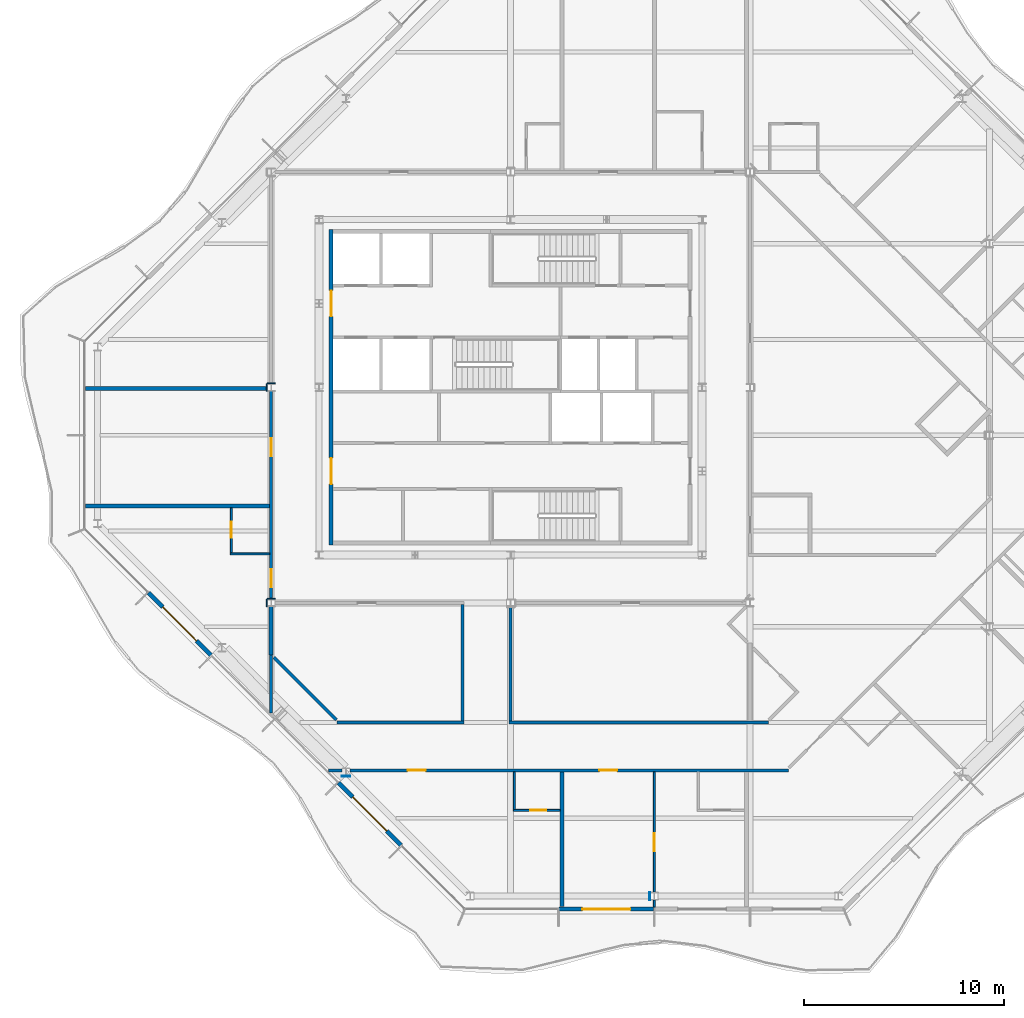
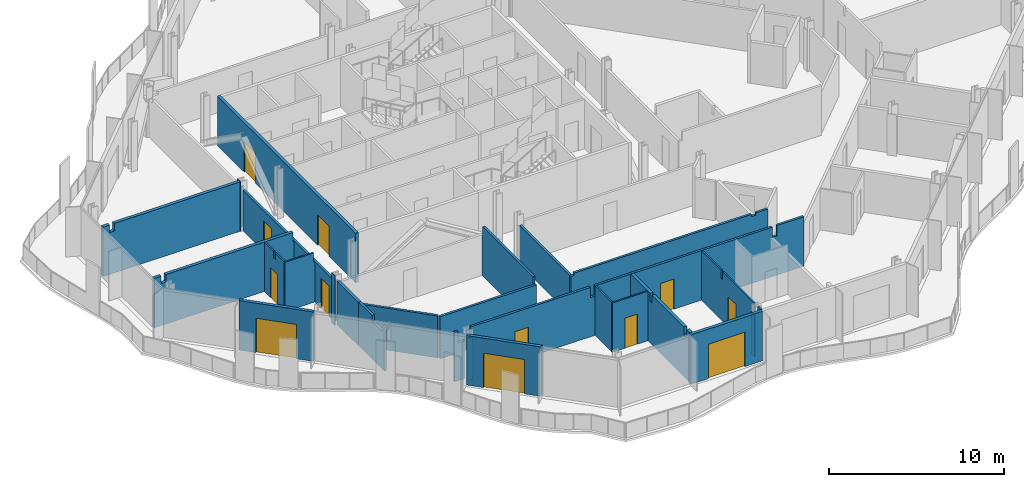
# One storey, part 7 of 17: 29 walls, 12 doors, 12 openings.
"""IFC4 building model written with IfcOpenShell, lengths in metres."""

from ifc_helpers import new_model, si_unit, direction, frame, frame_2d, origin, place, context, subcontext, project, spatial, polyline, rectangle, outline, extrude, material, layer, layer_set, type_object, element, fill, save


model = new_model("IFC4")

# Units and contexts
model_context = context("Model", 3, precision=1e-05, world=origin(), true_north=direction((0.0, 1.0)))
body_context = subcontext(model_context, "Body", "Model", "MODEL_VIEW")
ifc_project = project(units=[si_unit("LENGTHUNIT", "METRE"), si_unit("AREAUNIT", "SQUARE_METRE"), si_unit("VOLUMEUNIT", "CUBIC_METRE"), si_unit("PLANEANGLEUNIT", "RADIAN"), si_unit("MASSUNIT", "GRAM", prefix="KILO")], contexts=[model_context])

# Site, building, storey
site_placement = place(None, origin())
site = spatial("IfcSite", under=ifc_project, at=site_placement, CompositionType="ELEMENT")
building_placement = place(site_placement, origin())
building = spatial("IfcBuilding", under=site, at=building_placement, Name="Cairn Pilgrim Tower", CompositionType="ELEMENT")
storey_placement = place(building_placement, frame((0.0, 0.0, 253.800048828125)))
storey = spatial("IfcBuildingStorey", under=building, at=storey_placement, Name="L65", CompositionType="ELEMENT", Elevation=253.800048828125)

# Wall, opening, door
ifc_material_1 = material(Name="Bronze anodised aluminium insulated sandwich panel with mineral wool fill", Category="aluminium")
ifc_layer_1 = layer(ifc_material_1, 0.199951171875)
ifc_layer_set_1 = layer_set([ifc_layer_1], Name="BRONZE INFILL FRAME WALL 200")
wall_type_1 = type_object("IfcWallType", Name="BRONZE INFILL FRAME WALL 200", PredefinedType="NOTDEFINED", material=ifc_layer_set_1)
wall_1_placement = place(storey_placement, frame((9.6298828125, -23.75, 0.0), z_axis=(0.0, 0.0, 1.0), x_axis=(1.0, 0.0, 0.0)))
wall_1 = element("IfcWall", 1, at=wall_1_placement, inside=storey, type_object=wall_type_1, Name="Bronze infill frame wall IW-S2", PredefinedType="NOTDEFINED", context=body_context, shape_type="SweptSolid", body=[
    extrude(rectangle(XDim=4.740234375, YDim=0.199951171875, at=frame_2d((2.3701171875, 0.0))), origin(), (0.0, 0.0, 1.0), 3.449951171875),
])
opening_1_placement = place(wall_1_placement, frame((1.17041015625, 0.0, 0.0)))
opening_1 = element("IfcOpeningElement", 2, at=opening_1_placement, cuts=wall_1, Name="Opening 6515B", PredefinedType="OPENING", context=body_context, shape_type="SweptSolid", body=[
    extrude(rectangle(XDim=2.39990234375, YDim=2.39990234375, at=frame_2d((1.199951171875, 1.199951171875))), frame((0.0, 0.10986328125, 0.0), z_axis=(0.0, -1.0, 0.0), x_axis=(1.0, 0.0, 0.0)), (0.0, 0.0, 1.0), 0.219970703125),
])
ifc_material_2 = material(Name="Bronze anodised aluminium frame with tinted low-E glass", Category="aluminium")
door_type_1 = type_object("IfcDoorType", Name="BALCONY SLIDING DOOR 2400x2400", OperationType="DOUBLE_DOOR_SLIDING", PredefinedType="DOOR", material=ifc_material_2)
door_1_placement = place(opening_1_placement, origin())
door_1 = element("IfcDoor", 3, at=door_1_placement, inside=storey, type_object=door_type_1, Name="Balcony sliding door 6515B", OperationType="SINGLE_SWING_LEFT", OverallHeight=2.39990234375, OverallWidth=2.39990234375, PredefinedType="DOOR", context=body_context, shape_type="SweptSolid", body=[
    extrude(rectangle(XDim=2.39990234375, YDim=2.39990234375, at=frame_2d((1.199951171875, 1.199951171875))), frame((0.0, 0.02490234375, 0.0), z_axis=(0.0, -1.0, 0.0), x_axis=(1.0, 0.0, 0.0)), (0.0, 0.0, 1.0), 0.050048828125),
])
fill(opening_1, door_1)

wall_2_placement = place(storey_placement, frame((-10.953125, -7.893310546875, 0.0), z_axis=(0.0, 0.0, 1.0), x_axis=(0.707106781187, -0.707106781187, 0.0)))
wall_2 = element("IfcWall", 4, at=wall_2_placement, inside=storey, type_object=wall_type_1, Name="Bronze infill frame wall IW-SW2", PredefinedType="NOTDEFINED", context=body_context, shape_type="SweptSolid", body=[
    extrude(rectangle(XDim=4.430908203125, YDim=0.199951171875, at=frame_2d((2.21533203125, 0.0))), origin(), (0.0, 0.0, 1.0), 3.449951171875),
])
opening_2_placement = place(wall_2_placement, frame((1.015380859375, 0.0, 0.0)))
opening_2 = element("IfcOpeningElement", 5, at=opening_2_placement, cuts=wall_2, Name="Opening 6513B", PredefinedType="OPENING", context=body_context, shape_type="SweptSolid", body=[
    extrude(rectangle(XDim=2.39990234375, YDim=2.39990234375, at=frame_2d((1.199951171875, 1.199951171875))), frame((0.0, 0.10986328125, 0.0), z_axis=(0.0, -1.0, 0.0), x_axis=(1.0, 0.0, 0.0)), (0.0, 0.0, 1.0), 0.219970703125),
])
door_2_placement = place(opening_2_placement, origin())
door_2 = element("IfcDoor", 6, at=door_2_placement, inside=storey, type_object=door_type_1, Name="Balcony sliding door 6513B", OperationType="SINGLE_SWING_LEFT", OverallHeight=2.39990234375, OverallWidth=2.39990234375, PredefinedType="DOOR", context=body_context, shape_type="SweptSolid", body=[
    extrude(rectangle(XDim=2.39990234375, YDim=2.39990234375, at=frame_2d((1.199951171875, 1.199951171875))), frame((0.0, 0.02490234375, 0.0), z_axis=(0.0, -1.0, 0.0), x_axis=(1.0, 0.0, 0.0)), (0.0, 0.0, 1.0), 0.050048828125),
])
fill(opening_2, door_2)

wall_3_placement = place(storey_placement, frame((-1.426513671875, -17.419921875, 0.0), z_axis=(0.0, 0.0, 1.0), x_axis=(0.707106781187, -0.707106781187, 0.0)))
wall_3 = element("IfcWall", 7, at=wall_3_placement, inside=storey, type_object=wall_type_1, Name="Bronze infill frame wall IW-SW5", PredefinedType="NOTDEFINED", context=body_context, shape_type="SweptSolid", body=[
    extrude(rectangle(XDim=4.43115234375, YDim=0.199951171875, at=frame_2d((2.215576171875, 0.0))), origin(), (0.0, 0.0, 1.0), 3.449951171875),
])
opening_3_placement = place(wall_3_placement, frame((1.01513671875, 0.0, 0.0)))
opening_3 = element("IfcOpeningElement", 8, at=opening_3_placement, cuts=wall_3, Name="Opening 6514B", PredefinedType="OPENING", context=body_context, shape_type="SweptSolid", body=[
    extrude(rectangle(XDim=2.39990234375, YDim=2.39990234375, at=frame_2d((1.199951171875, 1.199951171875))), frame((0.0, 0.10986328125, 0.0), z_axis=(0.0, -1.0, 0.0), x_axis=(1.0, 0.0, 0.0)), (0.0, 0.0, 1.0), 0.219970703125),
])
door_3_placement = place(opening_3_placement, origin())
door_3 = element("IfcDoor", 9, at=door_3_placement, inside=storey, type_object=door_type_1, Name="Balcony sliding door 6514B", OperationType="SINGLE_SWING_LEFT", OverallHeight=2.39990234375, OverallWidth=2.39990234375, PredefinedType="DOOR", context=body_context, shape_type="SweptSolid", body=[
    extrude(rectangle(XDim=2.39990234375, YDim=2.39990234375, at=frame_2d((1.199951171875, 1.199951171875))), frame((0.0, 0.02490234375, 0.0), z_axis=(0.0, -1.0, 0.0), x_axis=(1.0, 0.0, 0.0)), (0.0, 0.0, 1.0), 0.050048828125),
])
fill(opening_3, door_3)

# Wall, openings, doors
ifc_material_3 = material(Name="Concrete C32/40", Category="concrete")
ifc_layer_2 = layer(ifc_material_3, 0.199951171875)
ifc_layer_set_2 = layer_set([ifc_layer_2], Name="CORE OUTER WALL 200 EI 120")
wall_type_2 = type_object("IfcWallType", Name="CORE OUTER WALL 200 EI 120", PredefinedType="SOLIDWALL", material=ifc_layer_set_2)
wall_4_placement = place(storey_placement, frame((-1.800048828125, -5.5, 0.0), z_axis=(0.0, 0.0, 1.0), x_axis=(0.0, 1.0, 0.0)))
wall_4 = element("IfcWall", 10, at=wall_4_placement, inside=storey, type_object=wall_type_2, Name="CW:L65:V13", PredefinedType="SOLIDWALL", context=body_context, shape_type="SweptSolid", body=[
    extrude(rectangle(XDim=15.800048828125, YDim=0.199951171875, at=frame_2d((7.89990234375, 0.0))), origin(), (0.0, 0.0, 1.0), 3.449951171875),
])
opening_4_placement = place(wall_4_placement, frame((3.050048828125, 0.0, 0.0)))
opening_4 = element("IfcOpeningElement", 11, at=opening_4_placement, cuts=wall_4, Name="Opening CD-W1", PredefinedType="OPENING", context=body_context, shape_type="SweptSolid", body=[
    extrude(rectangle(XDim=1.300048828125, YDim=2.10009765625, at=frame_2d((0.64990234375, 1.050048828125))), frame((0.0, 0.10986328125, 0.0), z_axis=(0.0, -1.0, 0.0), x_axis=(1.0, 0.0, 0.0)), (0.0, 0.0, 1.0), 0.219970703125),
])
opening_5_placement = place(wall_4_placement, frame((11.449951171875, 0.0, 0.0)))
opening_5 = element("IfcOpeningElement", 12, at=opening_5_placement, cuts=wall_4, Name="Opening CD-W2", PredefinedType="OPENING", context=body_context, shape_type="SweptSolid", body=[
    extrude(rectangle(XDim=1.300048828125, YDim=2.10009765625, at=frame_2d((0.64990234375, 1.050048828125))), frame((0.0, 0.10986328125, 0.0), z_axis=(0.0, -1.0, 0.0), x_axis=(1.0, 0.0, 0.0)), (0.0, 0.0, 1.0), 0.219970703125),
])
ifc_material_4 = material(Name="Painted steel", Category="steel")
door_type_2 = type_object("IfcDoorType", Name="CORE LOBBY DOOR 1300x2100", OperationType="DOUBLE_DOOR_SINGLE_SWING", PredefinedType="DOOR", material=ifc_material_4)
door_4_placement = place(opening_4_placement, origin())
door_4 = element("IfcDoor", 13, at=door_4_placement, inside=storey, type_object=door_type_2, Name="CD-W1", OperationType="DOUBLE_DOOR_SINGLE_SWING", OverallHeight=2.10009765625, OverallWidth=1.300048828125, PredefinedType="DOOR", context=body_context, shape_type="SweptSolid", body=[
    extrude(rectangle(XDim=1.300048828125, YDim=2.10009765625, at=frame_2d((0.64990234375, 1.050048828125))), frame((0.0, 0.02490234375, 0.0), z_axis=(0.0, -1.0, 0.0), x_axis=(1.0, 0.0, 0.0)), (0.0, 0.0, 1.0), 0.050048828125),
])
fill(opening_4, door_4)
door_5_placement = place(opening_5_placement, origin())
door_5 = element("IfcDoor", 14, at=door_5_placement, inside=storey, type_object=door_type_2, Name="CD-W2", OperationType="DOUBLE_DOOR_SINGLE_SWING", OverallHeight=2.10009765625, OverallWidth=1.300048828125, PredefinedType="DOOR", context=body_context, shape_type="SweptSolid", body=[
    extrude(rectangle(XDim=1.300048828125, YDim=2.10009765625, at=frame_2d((0.64990234375, 1.050048828125))), frame((0.0, 0.02490234375, 0.0), z_axis=(0.0, -1.0, 0.0), x_axis=(1.0, 0.0, 0.0)), (0.0, 0.0, 1.0), 0.050048828125),
])
fill(opening_5, door_5)

# Wall
ifc_material_5 = material(Name="Gypsum partition")
ifc_layer_3 = layer(ifc_material_5, 0.10009765625)
ifc_layer_set_3 = layer_set([ifc_layer_3], Name="PARTITION 100 DRYWALL")
wall_type_3 = type_object("IfcWallType", Name="PARTITION 100 DRYWALL", PredefinedType="PARTITIONING", material=ifc_layer_set_3)
wall_5_placement = place(storey_placement, frame((14.39990234375, -23.64990234375, 0.0), z_axis=(0.0, 0.0, 1.0), x_axis=(0.0, 1.0, 0.0)))
element("IfcWall", 15, at=wall_5_placement, inside=storey, type_object=wall_type_3, Name="PARTITION W001", PredefinedType="PARTITIONING", context=body_context, shape_type="SweptSolid", body=[
    extrude(rectangle(XDim=0.346435546875, YDim=0.10009765625, at=frame_2d((0.17333984375, 0.0))), origin(), (0.0, 0.0, 1.0), 3.449951171875),
])

# Wall, opening, door
wall_6_placement = place(storey_placement, frame((14.39990234375, -22.896484375, 0.0), z_axis=(0.0, 0.0, 1.0), x_axis=(0.0, 1.0, 0.0)))
wall_6 = element("IfcWall", 16, at=wall_6_placement, inside=storey, type_object=wall_type_3, Name="PARTITION W004", PredefinedType="PARTITIONING", context=body_context, shape_type="SweptSolid", body=[
    extrude(outline(polyline([(0.0, 0.0), (6.021484375, 0.0), (6.021484375, 3.449951171875), (3.801513671875, 3.449951171875), (3.799560546875, 2.8798828125), (3.591552734375, 2.8798828125), (3.589599609375, 3.449951171875), (0.0, 3.449951171875), (0.0, 0.0)])), frame((0.0, 0.050048828125, 0.0), z_axis=(0.0, -1.0, 0.0), x_axis=(1.0, 0.0, 0.0)), (0.0, 0.0, 1.0), 0.10009765625),
])
opening_6_placement = place(wall_6_placement, frame((2.04638671875, 0.0, 0.0)))
opening_6 = element("IfcOpeningElement", 17, at=opening_6_placement, cuts=wall_6, Name="Opening 6515C", PredefinedType="OPENING", context=body_context, shape_type="SweptSolid", body=[
    extrude(rectangle(XDim=0.89990234375, YDim=2.10009765625, at=frame_2d((0.449951171875, 1.050048828125))), frame((0.0, 0.06005859375, 0.0), z_axis=(0.0, -1.0, 0.0), x_axis=(1.0, 0.0, 0.0)), (0.0, 0.0, 1.0), 0.1201171875),
])
ifc_material_6 = material(Name="Timber door leaf", Category="wood")
door_type_3 = type_object("IfcDoorType", Name="SERVICE DOOR 900x2100", OperationType="NOTDEFINED", PredefinedType="DOOR", material=ifc_material_6)
door_6_placement = place(opening_6_placement, origin())
door_6 = element("IfcDoor", 18, at=door_6_placement, inside=storey, type_object=door_type_3, Name="DOOR 6515C", OperationType="SINGLE_SWING_LEFT", OverallHeight=2.10009765625, OverallWidth=0.89990234375, PredefinedType="DOOR", context=body_context, shape_type="SweptSolid", body=[
    extrude(rectangle(XDim=0.89990234375, YDim=2.10009765625, at=frame_2d((0.449951171875, 1.050048828125))), frame((0.0, 0.02490234375, 0.0), z_axis=(0.0, -1.0, 0.0), x_axis=(1.0, 0.0, 0.0)), (0.0, 0.0, 1.0), 0.050048828125),
])
fill(opening_6, door_6)

wall_7_placement = place(storey_placement, frame((7.3359375, -18.800048828125, 0.0), z_axis=(0.0, 0.0, 1.0), x_axis=(1.0, 0.0, 0.0)))
wall_7 = element("IfcWall", 19, at=wall_7_placement, inside=storey, type_object=wall_type_3, Name="PARTITION W005", PredefinedType="PARTITIONING", context=body_context, shape_type="SweptSolid", body=[
    extrude(outline(polyline([(0.0, 0.0), (2.35009765625, 0.0), (2.35009765625, 3.449951171875), (0.013916015625, 3.449951171875), (0.011962890625, 2.72998046875), (0.0, 2.72998046875), (0.0, 0.0)])), frame((0.0, 0.050048828125, 0.0), z_axis=(0.0, -1.0, 0.0), x_axis=(1.0, 0.0, 0.0)), (0.0, 0.0, 1.0), 0.10009765625),
])
opening_7_placement = place(wall_7_placement, frame((0.85009765625, 0.0, 0.0)))
opening_7 = element("IfcOpeningElement", 20, at=opening_7_placement, cuts=wall_7, Name="Opening 6514A", PredefinedType="OPENING", context=body_context, shape_type="SweptSolid", body=[
    extrude(rectangle(XDim=0.800048828125, YDim=2.10009765625, at=frame_2d((0.39990234375, 1.050048828125))), frame((0.0, 0.06005859375, 0.0), z_axis=(0.0, -1.0, 0.0), x_axis=(1.0, 0.0, 0.0)), (0.0, 0.0, 1.0), 0.1201171875),
])
door_type_4 = type_object("IfcDoorType", Name="WC DOOR 800x2100", OperationType="NOTDEFINED", PredefinedType="DOOR", material=ifc_material_6)
door_7_placement = place(opening_7_placement, frame((0.800048828125, 0.0, 0.0), z_axis=(0.0, 0.0, 1.0), x_axis=(-1.0, 0.0, 0.0)))
door_7 = element("IfcDoor", 21, at=door_7_placement, inside=storey, type_object=door_type_4, Name="DOOR 6514A", OperationType="SINGLE_SWING_LEFT", OverallHeight=2.10009765625, OverallWidth=0.800048828125, PredefinedType="DOOR", context=body_context, shape_type="SweptSolid", body=[
    extrude(rectangle(XDim=0.800048828125, YDim=2.10009765625, at=frame_2d((0.39990234375, 1.050048828125))), frame((0.0, 0.02490234375, 0.0), z_axis=(0.0, -1.0, 0.0), x_axis=(1.0, 0.0, 0.0)), (0.0, 0.0, 1.0), 0.050048828125),
])
fill(opening_7, door_7)

# Walls
wall_8_placement = place(storey_placement, frame((7.385986328125, -18.75, 0.0), z_axis=(0.0, 0.0, 1.0), x_axis=(0.0, 1.0, 0.0)))
element("IfcWall", 22, at=wall_8_placement, inside=storey, type_object=wall_type_3, Name="PARTITION W006", PredefinedType="PARTITIONING", context=body_context, shape_type="SweptSolid", body=[
    extrude(rectangle(XDim=1.875, YDim=0.10009765625, at=frame_2d((0.9375, 0.0))), origin(), (0.0, 0.0, 1.0), 3.449951171875),
])
wall_9_placement = place(storey_placement, frame((-6.85009765625, -5.944091796875, 0.0), z_axis=(0.0, 0.0, 1.0), x_axis=(1.0, 0.0, 0.0)))
element("IfcWall", 23, at=wall_9_placement, inside=storey, type_object=wall_type_3, Name="PARTITION W038", PredefinedType="PARTITIONING", context=body_context, shape_type="SweptSolid", body=[
    extrude(outline(polyline([(0.0, 0.0), (1.97509765625, 0.0), (1.97509765625, 2.829833984375), (1.89990234375, 2.829833984375), (1.89794921875, 3.449951171875), (0.0, 3.449951171875), (0.0, 0.0)])), frame((0.0, 0.050048828125, 0.0), z_axis=(0.0, -1.0, 0.0), x_axis=(1.0, 0.0, 0.0)), (0.0, 0.0, 1.0), 0.10009765625),
])

# Wall, opening, door
wall_10_placement = place(storey_placement, frame((-6.800048828125, -5.89404296875, 0.0), z_axis=(0.0, 0.0, 1.0), x_axis=(0.0, 1.0, 0.0)))
wall_10 = element("IfcWall", 24, at=wall_10_placement, inside=storey, type_object=wall_type_3, Name="PARTITION W039", PredefinedType="PARTITIONING", context=body_context, shape_type="SweptSolid", body=[
    extrude(outline(polyline([(0.0, 0.0), (2.25, 0.0), (2.25, 3.449951171875), (1.18896484375, 3.449951171875), (1.18701171875, 2.97998046875), (0.9990234375, 2.97998046875), (0.9970703125, 3.449951171875), (0.0, 3.449951171875), (0.0, 0.0)])), frame((0.0, 0.050048828125, 0.0), z_axis=(0.0, -1.0, 0.0), x_axis=(1.0, 0.0, 0.0)), (0.0, 0.0, 1.0), 0.10009765625),
])
opening_8_placement = place(wall_10_placement, frame((0.75, 0.0, 0.0)))
opening_8 = element("IfcOpeningElement", 25, at=opening_8_placement, cuts=wall_10, Name="Opening 6513A", PredefinedType="OPENING", context=body_context, shape_type="SweptSolid", body=[
    extrude(rectangle(XDim=0.800048828125, YDim=2.10009765625, at=frame_2d((0.39990234375, 1.050048828125))), frame((0.0, 0.06005859375, 0.0), z_axis=(0.0, -1.0, 0.0), x_axis=(1.0, 0.0, 0.0)), (0.0, 0.0, 1.0), 0.1201171875),
])
door_8_placement = place(opening_8_placement, origin())
door_8 = element("IfcDoor", 26, at=door_8_placement, inside=storey, type_object=door_type_4, Name="DOOR 6513A", OperationType="SINGLE_SWING_LEFT", OverallHeight=2.10009765625, OverallWidth=0.800048828125, PredefinedType="DOOR", context=body_context, shape_type="SweptSolid", body=[
    extrude(rectangle(XDim=0.800048828125, YDim=2.10009765625, at=frame_2d((0.39990234375, 1.050048828125))), frame((0.0, 0.02490234375, 0.0), z_axis=(0.0, -1.0, 0.0), x_axis=(1.0, 0.0, 0.0)), (0.0, 0.0, 1.0), 0.050048828125),
])
fill(opening_8, door_8)

# Wall
ifc_layer_4 = layer(ifc_material_5, 0.14990234375)
ifc_layer_set_4 = layer_set([ifc_layer_4], Name="PARTITION 150 DRYWALL EI 60")
wall_type_4 = type_object("IfcWallType", Name="PARTITION 150 DRYWALL EI 60", PredefinedType="PARTITIONING", material=ifc_layer_set_4)
wall_11_placement = place(storey_placement, frame((-1.926025390625, -16.800048828125, 0.0), z_axis=(0.0, 0.0, 1.0), x_axis=(1.0, 0.0, 0.0)))
element("IfcWall", 27, at=wall_11_placement, inside=storey, type_object=wall_type_4, Name="PARTITION W010", PredefinedType="PARTITIONING", context=body_context, shape_type="SweptSolid", body=[
    extrude(outline(polyline([(0.0, 0.0), (0.672607421875, 0.0), (0.672607421875, 2.6298828125), (0.22900390625, 2.6298828125), (0.226806640625, 3.449951171875), (0.0, 3.449951171875), (0.0, 0.0)])), frame((0.0, 0.074951171875, 0.0), z_axis=(0.0, -1.0, 0.0), x_axis=(1.0, 0.0, 0.0)), (0.0, 0.0, 1.0), 0.14990234375),
])

# Wall, openings, doors
wall_12_placement = place(storey_placement, frame((-0.849609375, -16.800048828125, 0.0), z_axis=(0.0, 0.0, 1.0), x_axis=(1.0, 0.0, 0.0)))
wall_12 = element("IfcWall", 28, at=wall_12_placement, inside=storey, type_object=wall_type_4, Name="PARTITION W011", PredefinedType="PARTITIONING", context=body_context, shape_type="SweptSolid", body=[
    extrude(outline(polyline([(0.0, 0.0), (21.9736328125, 0.0), (21.9736328125, 3.449951171875), (20.199462890625, 3.449951171875), (20.197509765625, 2.72998046875), (19.8994140625, 2.72998046875), (19.8974609375, 3.449951171875), (8.199462890625, 3.449951171875), (8.197509765625, 2.72998046875), (7.8994140625, 2.72998046875), (7.8974609375, 3.449951171875), (0.0, 3.449951171875), (0.0, 0.0)])), frame((0.0, 0.074951171875, 0.0), z_axis=(0.0, -1.0, 0.0), x_axis=(1.0, 0.0, 0.0)), (0.0, 0.0, 1.0), 0.14990234375),
])
opening_9_placement = place(wall_12_placement, frame((2.892578125, 0.0, 0.0)))
opening_9 = element("IfcOpeningElement", 29, at=opening_9_placement, cuts=wall_12, Name="Opening 6514", PredefinedType="OPENING", context=body_context, shape_type="SweptSolid", body=[
    extrude(rectangle(XDim=0.89990234375, YDim=2.10009765625, at=frame_2d((0.449951171875, 1.050048828125))), frame((0.0, 0.0849609375, 0.0), z_axis=(0.0, -1.0, 0.0), x_axis=(1.0, 0.0, 0.0)), (0.0, 0.0, 1.0), 0.169921875),
])
opening_10_placement = place(wall_12_placement, frame((12.492431640625, 0.0, 0.0)))
opening_10 = element("IfcOpeningElement", 30, at=opening_10_placement, cuts=wall_12, Name="Opening 6515", PredefinedType="OPENING", context=body_context, shape_type="SweptSolid", body=[
    extrude(rectangle(XDim=0.89990234375, YDim=2.10009765625, at=frame_2d((0.449951171875, 1.050048828125))), frame((0.0, 0.0849609375, 0.0), z_axis=(0.0, -1.0, 0.0), x_axis=(1.0, 0.0, 0.0)), (0.0, 0.0, 1.0), 0.169921875),
])
door_type_5 = type_object("IfcDoorType", Name="ROOM DOOR 900x2100 FD30S", OperationType="NOTDEFINED", PredefinedType="DOOR", material=ifc_material_6)
door_9_placement = place(opening_9_placement, frame((0.89990234375, 0.0, 0.0), z_axis=(0.0, 0.0, 1.0), x_axis=(-1.0, 0.0, 0.0)))
door_9 = element("IfcDoor", 31, at=door_9_placement, inside=storey, type_object=door_type_5, Name="DOOR 6514", OperationType="SINGLE_SWING_LEFT", OverallHeight=2.10009765625, OverallWidth=0.89990234375, PredefinedType="DOOR", context=body_context, shape_type="SweptSolid", body=[
    extrude(rectangle(XDim=0.89990234375, YDim=2.10009765625, at=frame_2d((0.449951171875, 1.050048828125))), frame((0.0, 0.02490234375, 0.0), z_axis=(0.0, -1.0, 0.0), x_axis=(1.0, 0.0, 0.0)), (0.0, 0.0, 1.0), 0.050048828125),
])
fill(opening_9, door_9)
door_10_placement = place(opening_10_placement, frame((0.89990234375, 0.0, 0.0), z_axis=(0.0, 0.0, 1.0), x_axis=(-1.0, 0.0, 0.0)))
door_10 = element("IfcDoor", 32, at=door_10_placement, inside=storey, type_object=door_type_5, Name="DOOR 6515", OperationType="SINGLE_SWING_LEFT", OverallHeight=2.10009765625, OverallWidth=0.89990234375, PredefinedType="DOOR", context=body_context, shape_type="SweptSolid", body=[
    extrude(rectangle(XDim=0.89990234375, YDim=2.10009765625, at=frame_2d((0.449951171875, 1.050048828125))), frame((0.0, 0.02490234375, 0.0), z_axis=(0.0, -1.0, 0.0), x_axis=(1.0, 0.0, 0.0)), (0.0, 0.0, 1.0), 0.050048828125),
])
fill(opening_10, door_10)

# Walls
wall_13_placement = place(storey_placement, frame((-1.51220703125, -14.39990234375, 0.0), z_axis=(0.0, 0.0, 1.0), x_axis=(1.0, 0.0, 0.0)))
element("IfcWall", 33, at=wall_13_placement, inside=storey, type_object=wall_type_4, Name="PARTITION W016", PredefinedType="PARTITIONING", context=body_context, shape_type="SweptSolid", body=[
    extrude(rectangle(XDim=6.38720703125, YDim=0.14990234375, at=frame_2d((3.193603515625, 0.0))), origin(), (0.0, 0.0, 1.0), 2.929931640625),
])
wall_14_placement = place(storey_placement, frame((7.125, -14.39990234375, 0.0), z_axis=(0.0, 0.0, 1.0), x_axis=(1.0, 0.0, 0.0)))
element("IfcWall", 34, at=wall_14_placement, inside=storey, type_object=wall_type_4, Name="PARTITION W017", PredefinedType="PARTITIONING", context=body_context, shape_type="SweptSolid", body=[
    extrude(outline(polyline([(0.0, 0.0), (13.004150390625, 0.0), (13.004150390625, 2.8798828125), (12.22509765625, 2.8798828125), (12.222900390625, 2.72998046875), (11.925048828125, 2.72998046875), (11.923095703125, 2.8798828125), (0.22509765625, 2.8798828125), (0.222900390625, 2.72998046875), (0.0, 2.72998046875), (0.0, 0.0)])), frame((0.0, 0.074951171875, 0.0), z_axis=(0.0, -1.0, 0.0), x_axis=(1.0, 0.0, 0.0)), (0.0, 0.0, 1.0), 0.14990234375),
])
wall_15_placement = place(storey_placement, frame((-1.533935546875, -14.27197265625, 0.0), z_axis=(0.0, 0.0, 1.0), x_axis=(-0.707134287042, 0.707079274261, 0.0)))
element("IfcWall", 35, at=wall_15_placement, inside=storey, type_object=wall_type_4, Name="PARTITION W018", PredefinedType="PARTITIONING", context=body_context, shape_type="SweptSolid", body=[
    extrude(rectangle(XDim=4.43798828125, YDim=0.14990234375, at=frame_2d((2.218994140625, 0.0))), origin(), (0.0, 0.0, 1.0), 2.929931640625),
])
wall_16_placement = place(storey_placement, frame((4.800048828125, -14.324951171875, 0.0), z_axis=(0.0, 0.0, 1.0), x_axis=(0.0, 1.0, 0.0)))
element("IfcWall", 36, at=wall_16_placement, inside=storey, type_object=wall_type_4, Name="PARTITION W019", PredefinedType="PARTITIONING", context=body_context, shape_type="SweptSolid", body=[
    extrude(outline(polyline([(0.0, 0.0), (5.849853515625, 0.0), (5.85009765625, 2.829833984375), (5.77490234375, 2.829833984375), (5.77294921875, 3.449951171875), (0.02490234375, 3.449951171875), (0.02294921875, 2.929931640625), (0.0, 2.929931640625), (0.0, 0.0)])), frame((0.0, 0.074951171875, 0.0), z_axis=(0.0, -1.0, 0.0), x_axis=(1.0, 0.0, 0.0)), (0.0, 0.0, 1.0), 0.14990234375),
])
wall_17_placement = place(storey_placement, frame((7.199951171875, -14.324951171875, 0.0), z_axis=(0.0, 0.0, 1.0), x_axis=(0.0, 1.0, 0.0)))
element("IfcWall", 37, at=wall_17_placement, inside=storey, type_object=wall_type_4, Name="PARTITION W020", PredefinedType="PARTITIONING", context=body_context, shape_type="SweptSolid", body=[
    extrude(rectangle(XDim=5.737548828125, YDim=0.14990234375, at=frame_2d((2.86865234375, 0.0))), origin(), (0.0, 0.0, 1.0), 2.72998046875),
])
wall_18_placement = place(storey_placement, frame((-4.800048828125, -13.926025390625, 0.0), z_axis=(0.0, 0.0, 1.0), x_axis=(0.0, 1.0, 0.0)))
element("IfcWall", 38, at=wall_18_placement, inside=storey, type_object=wall_type_4, Name="PARTITION W023", PredefinedType="PARTITIONING", context=body_context, shape_type="SweptSolid", body=[
    extrude(outline(polyline([(0.0, 0.0), (2.919921875, 0.0), (2.920166015625, 3.030029296875), (1.368896484375, 3.030029296875), (1.366943359375, 2.6298828125), (0.22900390625, 2.6298828125), (0.226806640625, 3.030029296875), (0.0, 3.030029296875), (0.0, 0.0)])), frame((0.0, 0.074951171875, 0.0), z_axis=(0.0, -1.0, 0.0), x_axis=(1.0, 0.0, 0.0)), (0.0, 0.0, 1.0), 0.14990234375),
])

# Wall, openings, doors
wall_19_placement = place(storey_placement, frame((-4.800048828125, -8.21240234375, 0.0), z_axis=(0.0, 0.0, 1.0), x_axis=(0.0, 1.0, 0.0)))
wall_19 = element("IfcWall", 39, at=wall_19_placement, inside=storey, type_object=wall_type_4, Name="PARTITION W034", PredefinedType="PARTITIONING", context=body_context, shape_type="SweptSolid", body=[
    extrude(rectangle(XDim=10.4248046875, YDim=0.14990234375, at=frame_2d((5.21240234375, 0.0))), origin(), (0.0, 0.0, 1.0), 2.829833984375),
])
opening_11_placement = place(wall_19_placement, frame((7.16259765625, 0.0, 0.0)))
opening_11 = element("IfcOpeningElement", 40, at=opening_11_placement, cuts=wall_19, Name="Opening 6512", PredefinedType="OPENING", context=body_context, shape_type="SweptSolid", body=[
    extrude(rectangle(XDim=0.89990234375, YDim=2.10009765625, at=frame_2d((0.449951171875, 1.050048828125))), frame((0.0, 0.0849609375, 0.0), z_axis=(0.0, -1.0, 0.0), x_axis=(1.0, 0.0, 0.0)), (0.0, 0.0, 1.0), 0.169921875),
])
opening_12_placement = place(wall_19_placement, frame((0.590576171875, 0.0, 0.0)))
opening_12 = element("IfcOpeningElement", 41, at=opening_12_placement, cuts=wall_19, Name="Opening 6513", PredefinedType="OPENING", context=body_context, shape_type="SweptSolid", body=[
    extrude(rectangle(XDim=0.89990234375, YDim=2.10009765625, at=frame_2d((0.449951171875, 1.050048828125))), frame((0.0, 0.0849609375, 0.0), z_axis=(0.0, -1.0, 0.0), x_axis=(1.0, 0.0, 0.0)), (0.0, 0.0, 1.0), 0.169921875),
])
door_11_placement = place(opening_12_placement, origin())
door_11 = element("IfcDoor", 42, at=door_11_placement, inside=storey, type_object=door_type_5, Name="DOOR 6513", OperationType="SINGLE_SWING_LEFT", OverallHeight=2.10009765625, OverallWidth=0.89990234375, PredefinedType="DOOR", context=body_context, shape_type="SweptSolid", body=[
    extrude(rectangle(XDim=0.89990234375, YDim=2.10009765625, at=frame_2d((0.449951171875, 1.050048828125))), frame((0.0, 0.02490234375, 0.0), z_axis=(0.0, -1.0, 0.0), x_axis=(1.0, 0.0, 0.0)), (0.0, 0.0, 1.0), 0.050048828125),
])
fill(opening_12, door_11)
door_type_6 = type_object("IfcDoorType", Name="SERVICE DOOR 900x2100 FD30S", OperationType="NOTDEFINED", PredefinedType="DOOR", material=ifc_material_6)
door_12_placement = place(opening_11_placement, origin())
door_12 = element("IfcDoor", 43, at=door_12_placement, inside=storey, type_object=door_type_6, Name="DOOR 6512", OperationType="SINGLE_SWING_LEFT", OverallHeight=2.10009765625, OverallWidth=0.89990234375, PredefinedType="DOOR", context=body_context, shape_type="SweptSolid", body=[
    extrude(rectangle(XDim=0.89990234375, YDim=2.10009765625, at=frame_2d((0.449951171875, 1.050048828125))), frame((0.0, 0.02490234375, 0.0), z_axis=(0.0, -1.0, 0.0), x_axis=(1.0, 0.0, 0.0)), (0.0, 0.0, 1.0), 0.050048828125),
])
fill(opening_11, door_12)

# Walls
ifc_layer_5 = layer(ifc_material_5, 0.050048828125)
ifc_layer_set_5 = layer_set([ifc_layer_5], Name="PARTITION 50 DRYWALL")
wall_type_5 = type_object("IfcWallType", Name="PARTITION 50 DRYWALL", PredefinedType="PARTITIONING", material=ifc_layer_set_5)
wall_20_placement = place(storey_placement, frame((14.173095703125, -23.303466796875, 0.0), z_axis=(0.0, 0.0, 1.0), x_axis=(0.0, 1.0, 0.0)))
element("IfcWall", 44, at=wall_20_placement, inside=storey, type_object=wall_type_5, Name="COLUMN CASING WC01", PredefinedType="PARTITIONING", context=body_context, shape_type="SweptSolid", body=[
    extrude(rectangle(XDim=0.406982421875, YDim=0.050048828125, at=frame_2d((0.20361328125, 0.0))), origin(), (0.0, 0.0, 1.0), 2.929931640625),
])
ifc_layer_6 = layer(ifc_material_5, 0.050048828125)
ifc_layer_set_6 = layer_set([ifc_layer_6], Name="PARTITION 50 DRYWALL EI 60")
wall_type_6 = type_object("IfcWallType", Name="PARTITION 50 DRYWALL EI 60", PredefinedType="PARTITIONING", material=ifc_layer_set_6)
wall_21_placement = place(storey_placement, frame((-1.25341796875, -17.104248046875, 0.0), z_axis=(0.0, 0.0, 1.0), x_axis=(1.0, 0.0, 0.0)))
element("IfcWall", 45, at=wall_21_placement, inside=storey, type_object=wall_type_6, Name="COLUMN CASING WC03", PredefinedType="PARTITIONING", context=body_context, shape_type="SweptSolid", body=[
    extrude(rectangle(XDim=0.40380859375, YDim=0.050048828125, at=frame_2d((0.201904296875, 0.0))), origin(), (0.0, 0.0, 1.0), 2.929931640625),
])
for number, where, z_axis, x_axis, name in (
    (46, (-5.02197265625, -8.58740234375, 0.0), (0.0, 0.0, 1.0), (0.0, 1.0, 0.0), "COLUMN CASING WC07"),
    (47, (-5.02197265625, 2.21240234375, 0.0), (0.0, 0.0, 1.0), (0.0, 1.0, 0.0), "COLUMN CASING WC09"),
):
    element("IfcWall", number, at=place(storey_placement, frame(where, z_axis=z_axis, x_axis=x_axis)), inside=storey, type_object=wall_type_6, Name=name, PredefinedType="PARTITIONING", context=body_context, shape_type="SweptSolid", body=[
        extrude(rectangle(XDim=0.375, YDim=0.050048828125, at=frame_2d((0.1875, 0.0))), origin(), (0.0, 0.0, 1.0), 3.449951171875),
    ])
for number, where, z_axis, x_axis, name in (
    (48, (-4.9970703125, -8.1875, 0.0), (0.0, 0.0, 1.0), (1.0, 0.0, 0.0), "COLUMN CASING WC11"),
    (49, (-4.9970703125, 2.612548828125, 0.0), (0.0, 0.0, 1.0), (1.0, 0.0, 0.0), "COLUMN CASING WC18"),
):
    element("IfcWall", number, at=place(storey_placement, frame(where, z_axis=z_axis, x_axis=x_axis)), inside=storey, type_object=wall_type_6, Name=name, PredefinedType="PARTITIONING", context=body_context, shape_type="SweptSolid", body=[
        extrude(rectangle(XDim=0.39404296875, YDim=0.050048828125, at=frame_2d((0.197021484375, 0.0))), origin(), (0.0, 0.0, 1.0), 2.829833984375),
    ])
ifc_layer_7 = layer(ifc_material_5, 0.199951171875)
ifc_layer_set_7 = layer_set([ifc_layer_7], Name="SHAFT WALL 200 GYPSUM EI 60")
wall_type_7 = type_object("IfcWallType", Name="SHAFT WALL 200 GYPSUM EI 60", PredefinedType="PARTITIONING", material=ifc_layer_set_7)
wall_22_placement = place(storey_placement, frame((9.785888671875, -23.6201171875, 0.0), z_axis=(0.0, 0.0, 1.0), x_axis=(0.0, 1.0, 0.0)))
element("IfcWall", 50, at=wall_22_placement, inside=storey, type_object=wall_type_7, Name="PARTITION W002", PredefinedType="PARTITIONING", context=body_context, shape_type="SweptSolid", body=[
    extrude(outline(polyline([(0.0, 0.0), (6.7451171875, 0.0), (6.7451171875, 3.449951171875), (4.52490234375, 3.449951171875), (4.52294921875, 2.8798828125), (4.31494140625, 2.8798828125), (4.31298828125, 3.449951171875), (0.669921875, 3.449951171875), (0.66796875, 2.929931640625), (0.3701171875, 2.929931640625), (0.367919921875, 3.449951171875), (0.0, 3.449951171875), (0.0, 0.0)])), frame((0.0, 0.10009765625, 0.0), z_axis=(0.0, -1.0, 0.0), x_axis=(1.0, 0.0, 0.0)), (0.0, 0.0, 1.0), 0.199951171875),
])
wall_23_placement = place(storey_placement, frame((-4.800048828125, -11.006103515625, 0.0), z_axis=(0.0, 0.0, 1.0), x_axis=(0.0, 1.0, 0.0)))
element("IfcWall", 51, at=wall_23_placement, inside=storey, type_object=wall_type_7, Name="PARTITION W027", PredefinedType="PARTITIONING", context=body_context, shape_type="SweptSolid", body=[
    extrude(rectangle(XDim=2.418701171875, YDim=0.199951171875, at=frame_2d((1.20947265625, 0.0))), origin(), (0.0, 0.0, 1.0), 3.030029296875),
])
wall_24_placement = place(storey_placement, frame((-14.10302734375, -3.5439453125, 0.0), z_axis=(0.0, 0.0, 1.0), x_axis=(1.0, 0.0, 0.0)))
element("IfcWall", 52, at=wall_24_placement, inside=storey, type_object=wall_type_7, Name="PARTITION W045", PredefinedType="PARTITIONING", context=body_context, shape_type="SweptSolid", body=[
    extrude(outline(polyline([(0.0, 0.0), (9.22802734375, 0.0), (9.22802734375, 2.829833984375), (9.153076171875, 2.829833984375), (9.15087890625, 3.449951171875), (0.7529296875, 3.449951171875), (0.7509765625, 2.929931640625), (0.452880859375, 2.929931640625), (0.450927734375, 3.449951171875), (0.0, 3.449951171875), (0.0, 0.0)])), frame((0.0, 0.10009765625, 0.0), z_axis=(0.0, -1.0, 0.0), x_axis=(1.0, 0.0, 0.0)), (0.0, 0.0, 1.0), 0.199951171875),
])
wall_25_placement = place(storey_placement, frame((-14.10302734375, 2.343994140625, 0.0), z_axis=(0.0, 0.0, 1.0), x_axis=(1.0, 0.0, 0.0)))
element("IfcWall", 53, at=wall_25_placement, inside=storey, type_object=wall_type_7, Name="PARTITION W054", PredefinedType="PARTITIONING", context=body_context, shape_type="SweptSolid", body=[
    extrude(outline(polyline([(0.0, 0.0), (9.10595703125, 0.0), (9.10595703125, 3.449951171875), (0.7529296875, 3.449951171875), (0.7509765625, 2.929931640625), (0.452880859375, 2.929931640625), (0.450927734375, 3.449951171875), (0.0, 3.449951171875), (0.0, 0.0)])), frame((0.0, 0.10009765625, 0.0), z_axis=(0.0, -1.0, 0.0), x_axis=(1.0, 0.0, 0.0)), (0.0, 0.0, 1.0), 0.199951171875),
])

save(model, "model.ifc")
